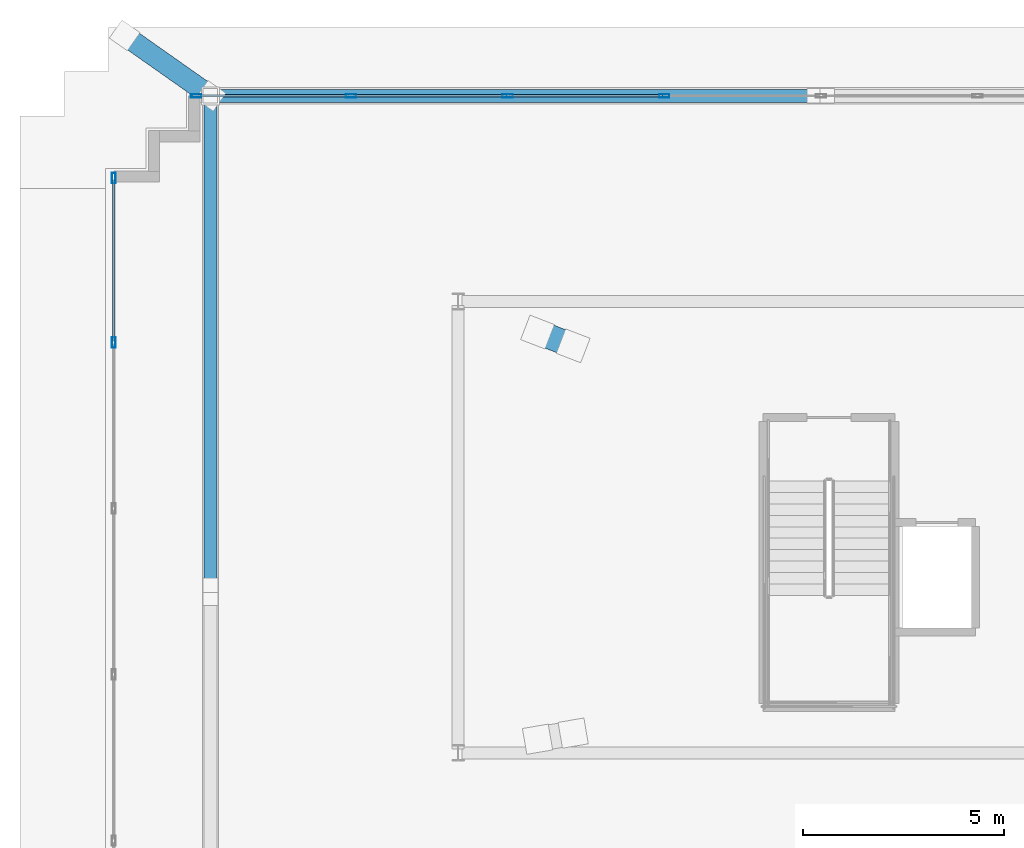
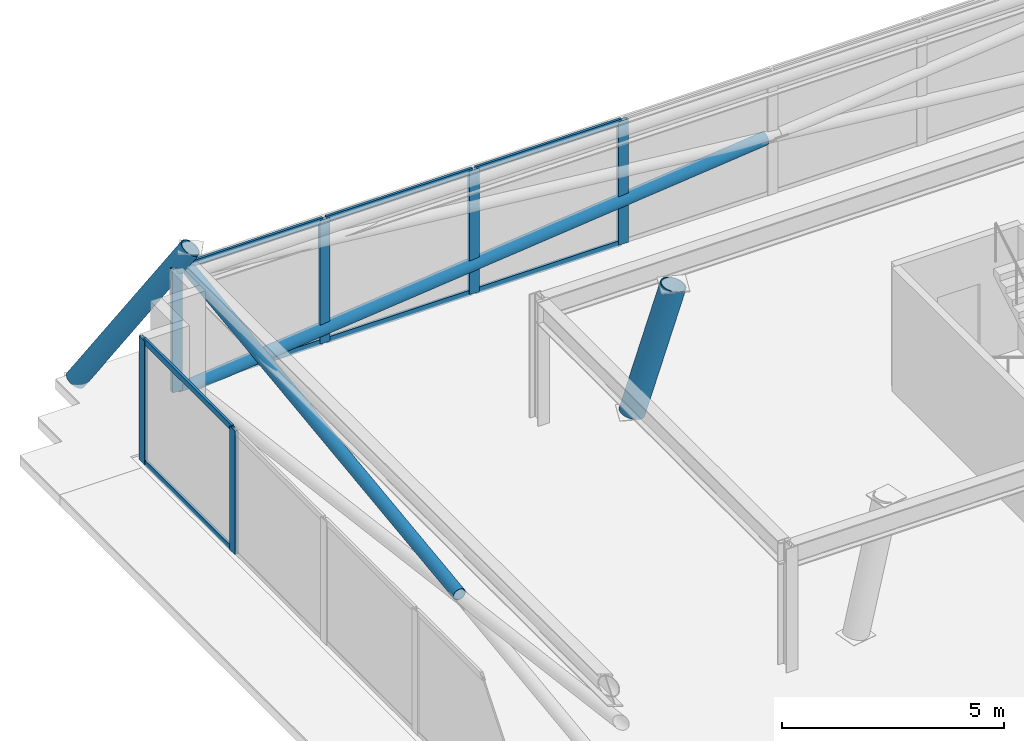
# One storey, part 8 of 18: 18 members, 2 elements without a shape of their own.
"""IFC4 building model written with IfcOpenShell, lengths in metres."""

import ifcopenshell
import ifcopenshell.guid

model = None  # the IFC model being written
_history = None  # IfcOwnerHistory: only IFC2X3 demands one
_inside = {}  # id of a spatial element -> (the spatial element, [elements in it])
_under = {}  # id of a project, library or spatial element -> (it, [spatial elements below it])
_declared = {}  # id of a project -> (the project, [libraries it declares])
_typed = {}  # id of a type object -> (the type object, [elements of that type])
_made_of = {}  # id of a material, layer set ... -> (it, [elements and type objects made of it])


def new_model(schema):
    """Start an empty IFC model of exactly this schema.

    Asked for "IFC4X3", IfcOpenShell would pick the latest addendum, in which some entities
    have other attributes; the version numbers below select the first issue.
    IFC2X3 requires an IfcOwnerHistory on every rooted entity: one is made here for all.
    """
    global model, _history
    if schema == "IFC4X3":
        model = ifcopenshell.file(schema_version=(4, 3, 0, 0))
    else:
        model = ifcopenshell.file(schema=schema)
    _inside.clear()
    _under.clear()
    _declared.clear()
    _typed.clear()
    _made_of.clear()
    _history = None
    if model.schema == "IFC2X3":
        org = make("IfcOrganization", Name="unknown")
        user = make(
            "IfcPersonAndOrganization",
            ThePerson=make("IfcPerson", FamilyName="unknown"),
            TheOrganization=org,
        )
        app = make(
            "IfcApplication",
            ApplicationDeveloper=org,
            Version="unknown",
            ApplicationFullName="unknown",
            ApplicationIdentifier="unknown",
        )
        _history = make(
            "IfcOwnerHistory",
            OwningUser=user,
            OwningApplication=app,
            ChangeAction="ADDED",
            CreationDate=0,
        )
    return model


def make(cls, **values):
    """One entity of the class cls with the attributes given. An attribute that is None is left unset."""
    return model.create_entity(
        cls, **{name: value for name, value in values.items() if value is not None}
    )


def rooted(cls, **values):
    """An entity with a GlobalId (a new one), such as an element, a storey or a relation."""
    return make(cls, GlobalId=ifcopenshell.guid.new(), OwnerHistory=_history, **values)


def si_unit(unit_type, name, prefix=None):
    """IfcSIUnit, for example si_unit("LENGTHUNIT", "METRE", prefix="MILLI")."""
    return make("IfcSIUnit", UnitType=unit_type, Prefix=prefix, Name=name)


def assignment(units):
    """IfcUnitAssignment: the units of a project."""
    return None if units is None else make("IfcUnitAssignment", Units=units)


def point(xyz):
    """IfcCartesianPoint."""
    return None if xyz is None else make("IfcCartesianPoint", Coordinates=xyz)


def direction(xyz):
    """IfcDirection."""
    return None if xyz is None else make("IfcDirection", DirectionRatios=xyz)


def frame(location, z_axis=None, x_axis=None):
    """IfcAxis2Placement3D, a coordinate frame: its origin and axes. An axis left out is left unset."""
    return make(
        "IfcAxis2Placement3D",
        Location=point(location),
        Axis=direction(z_axis),
        RefDirection=direction(x_axis),
    )


def frame_2d(location, x_axis=None):
    """IfcAxis2Placement2D, a coordinate frame in the plane: its origin and x axis."""
    return make(
        "IfcAxis2Placement2D", Location=point(location), RefDirection=direction(x_axis)
    )


def origin():
    """The frame at (0, 0, 0) with its axes left unset."""
    return frame((0.0, 0.0, 0.0))


def origin_2d():
    """The frame at (0, 0) in the plane with its x axis left unset."""
    return frame_2d((0.0, 0.0))


def place(relative_to, where):
    """IfcLocalPlacement: puts the frame where relative to a parent placement (None: the world)."""
    return make(
        "IfcLocalPlacement", PlacementRelTo=relative_to, RelativePlacement=where
    )


def context(
    kind, dimensions, precision=None, world=None, true_north=None, identifier=None
):
    """IfcGeometricRepresentationContext, for example the 3D "Model" context."""
    return make(
        "IfcGeometricRepresentationContext",
        ContextIdentifier=identifier,
        ContextType=kind,
        CoordinateSpaceDimension=dimensions,
        Precision=precision,
        WorldCoordinateSystem=world,
        TrueNorth=true_north,
    )


def subcontext(parent, identifier, kind, view, scale=None):
    """IfcGeometricRepresentationSubContext, for example "Body" below "Model"."""
    return make(
        "IfcGeometricRepresentationSubContext",
        ContextIdentifier=identifier,
        ContextType=kind,
        ParentContext=parent,
        TargetScale=scale,
        TargetView=view,
    )


def project(units=None, contexts=None):
    """IfcProject with its units and contexts."""
    return rooted(
        "IfcProject",
        Name="project",
        RepresentationContexts=contexts,
        UnitsInContext=assignment(units),
    )


def spatial(cls, under=None, at=None, **own):
    """A site, building, storey or space (cls), placed at a placement, below another one or the project."""
    s = rooted(cls, ObjectPlacement=at, **own)
    if under is not None:
        _under.setdefault(under.id(), (under, []))[1].append(s)
    return s


def profile(cls, at=None, kind="AREA", **sizes):
    """A parametric profile (cls). Its sizes go by their IFC names, for example OverallWidth=200.0."""
    return make(cls, ProfileType=kind, Position=at, **sizes)


def hollow_rectangle(**sizes):
    """IfcRectangleHollowProfileDef."""
    return profile("IfcRectangleHollowProfileDef", **sizes)


def hollow_circle(**sizes):
    """IfcCircleHollowProfileDef."""
    return profile("IfcCircleHollowProfileDef", **sizes)


def extrude(swept, where, along, depth):
    """IfcExtrudedAreaSolid: the profile swept, set in the frame where, extruded along a direction by depth."""
    return make(
        "IfcExtrudedAreaSolid",
        SweptArea=swept,
        Position=where,
        ExtrudedDirection=direction(along),
        Depth=depth,
    )


def shape(context_of_items, identifier, shape_type, items):
    """IfcShapeRepresentation: the items that make up one representation, for example the "Body"."""
    return make(
        "IfcShapeRepresentation",
        ContextOfItems=context_of_items,
        RepresentationIdentifier=identifier,
        RepresentationType=shape_type,
        Items=items,
    )


def material(Name=None, Category=None):
    """IfcMaterial."""
    return make("IfcMaterial", Name=Name, Category=Category)


def layer(
    of_material, thickness, ventilated=None, Name=None, Category=None, Priority=None
):
    """IfcMaterialLayer: one layer of a wall or slab, of a material (None: an air gap)."""
    return make(
        "IfcMaterialLayer",
        Material=of_material,
        LayerThickness=thickness,
        IsVentilated=ventilated,
        Name=Name,
        Category=Category,
        Priority=Priority,
    )


def layer_set(layers, Name=None):
    """IfcMaterialLayerSet."""
    return make("IfcMaterialLayerSet", MaterialLayers=layers, LayerSetName=Name)


def material_profile(
    of_material, cross_section, Name=None, Category=None, Priority=None
):
    """IfcMaterialProfile: a cross section and its material."""
    return make(
        "IfcMaterialProfile",
        Name=Name,
        Material=of_material,
        Profile=cross_section,
        Priority=Priority,
        Category=Category,
    )


def profile_set(profiles, Name=None, composite=None):
    """IfcMaterialProfileSet."""
    return make(
        "IfcMaterialProfileSet",
        Name=Name,
        MaterialProfiles=profiles,
        CompositeProfile=composite,
    )


def made_of(thing, what):
    """Note that an element or type object is made of a material, layer set ...; save() writes the relation."""
    if what is not None:
        _made_of.setdefault(what.id(), (what, []))[1].append(thing)
    return thing


def type_object(cls, material=None, **own):
    """A type object (cls), such as IfcWallType, which elements share."""
    return made_of(rooted(cls, **own), material)


def element(
    cls,
    number,
    at=None,
    inside=None,
    cuts=None,
    type_object=None,
    material=None,
    context=None,
    identifier="Body",
    shape_type=None,
    held_by="IfcProductDefinitionShape",
    body=None,
    shapes=None,
    **own,
):
    """One element of the class cls, such as IfcWall. Its Tag is "e" and its number.

    at: its placement. inside: the storey or other place that contains it. cuts: it is an
    opening in that element (IfcRelVoidsElement). A single representation is given by context,
    identifier, shape_type and body (its items); several are given by shapes. held_by: the class
    of the entity that holds the representations. save() writes the other relations.
    """
    e = rooted(cls, Tag="e%d" % number, ObjectPlacement=at, **own)
    if body is not None:
        shapes = [shape(context, identifier, shape_type, body)]
    if shapes is not None:
        e.Representation = make(held_by, Representations=shapes)
    if inside is not None:
        _inside.setdefault(inside.id(), (inside, []))[1].append(e)
    if cuts is not None:
        rooted(
            "IfcRelVoidsElement", RelatingBuildingElement=cuts, RelatedOpeningElement=e
        )
    if type_object is not None:
        _typed.setdefault(type_object.id(), (type_object, []))[1].append(e)
    return made_of(e, material)


def aggregate(whole, parts):
    """IfcRelAggregates: a whole, such as a stair, and the parts it consists of."""
    return rooted("IfcRelAggregates", RelatingObject=whole, RelatedObjects=parts)


def save(model, path):
    """Write the relations noted so far, then the file.

    IfcRelAggregates (storeys below a building ...), IfcRelContainedInSpatialStructure (elements
    in a storey), IfcRelDefinesByType, IfcRelAssociatesMaterial and IfcRelDeclares: one each for
    every whole, place, type object, material and project.
    """
    for whole, parts in _under.values():
        aggregate(whole, parts)
    for where, things in _inside.values():
        rooted(
            "IfcRelContainedInSpatialStructure",
            RelatedElements=things,
            RelatingStructure=where,
        )
    for kind, things in _typed.values():
        rooted("IfcRelDefinesByType", RelatedObjects=things, RelatingType=kind)
    for what, things in _made_of.values():
        rooted("IfcRelAssociatesMaterial", RelatedObjects=things, RelatingMaterial=what)
    for by, libraries in _declared.values():
        rooted("IfcRelDeclares", RelatingContext=by, RelatedDefinitions=libraries)
    model.write(path)


model = new_model("IFC4")

# Units and contexts
model_context = context("Model", 3, precision=1e-05, world=origin(), true_north=direction((0.0, 1.0)))
body_context = subcontext(model_context, "Body", "Model", "MODEL_VIEW")
ifc_project = project(units=[si_unit("LENGTHUNIT", "METRE"), si_unit("AREAUNIT", "SQUARE_METRE"), si_unit("VOLUMEUNIT", "CUBIC_METRE"), si_unit("PLANEANGLEUNIT", "RADIAN"), si_unit("MASSUNIT", "GRAM", prefix="KILO")], contexts=[model_context])

# Site, building, storey
site_placement = place(None, origin())
site = spatial("IfcSite", under=ifc_project, at=site_placement, CompositionType="ELEMENT")
building_placement = place(site_placement, origin())
building = spatial("IfcBuilding", under=site, at=building_placement, Name="Qobustan Lattice House", CompositionType="ELEMENT")
storey_placement = place(building_placement, frame((0.0, 0.0, 277.800048828125)))
storey = spatial("IfcBuildingStorey", under=building, at=storey_placement, Name="L78", CompositionType="ELEMENT", Elevation=277.800048828125)

# Curtain wall, members
ifc_material_1 = material(Name="Anodised aluminium and low-E glazing", Category="aluminium")
ifc_layer = layer(ifc_material_1, 0.219970703125)
ifc_layer_set = layer_set([ifc_layer], Name="Anodised aluminium and low-E glazing")
curtain_wall_type = type_object("IfcCurtainWallType", Name="CW-CRN-01", PredefinedType="USERDEFINED", material=ifc_layer_set)
curtain_wall_1_placement = place(storey_placement, origin())
curtain_wall_1 = element("IfcCurtainWall", 1, at=curtain_wall_1_placement, inside=storey, type_object=curtain_wall_type, Name="L78 glass-point crown faceted curtain wall 5", ObjectType="CURTAIN WALL", PredefinedType="USERDEFINED")
ifc_material_2 = material(Name="Anodised aluminium EN AW-6063 T6", Category="aluminium")
ifc_material_profile_1 = material_profile(ifc_material_2, hollow_rectangle(XDim=0.090087890625, YDim=0.260009765625, WallThickness=0.006103515625, at=origin_2d()), Name="CWM-CROWN-260x90")
ifc_profile_set_1 = profile_set([ifc_material_profile_1], Name="Anodised aluminium EN AW-6063 T6")
member_type_1 = type_object("IfcMemberType", Name="CWM-CRN-260", PredefinedType="MULLION", material=ifc_profile_set_1)
member_1_placement = place(storey_placement, frame((-17.74658203125, 4.58203125, 0.0), z_axis=(0.0, 0.0, 1.0), x_axis=(-1.0, 0.0, 0.0)))
member_1 = element("IfcMember", 2, at=member_1_placement, type_object=member_type_1, Name="CW-CR mullion 5", PredefinedType="MULLION", context=body_context, shape_type="SweptSolid", body=[
    extrude(hollow_rectangle(XDim=0.090087890625, YDim=0.260009765625, WallThickness=0.006103515625, at=origin_2d()), origin(), (0.0, 0.0, 1.0), 3.39990234375),
])
member_2_placement = place(storey_placement, frame((-17.74658203125, 8.658447265625, 0.0), z_axis=(0.0, 0.0, 1.0), x_axis=(-1.0, 0.0, 0.0)))
member_2 = element("IfcMember", 3, at=member_2_placement, type_object=member_type_1, Name="CW-CR mullion 6", PredefinedType="MULLION", context=body_context, shape_type="SweptSolid", body=[
    extrude(hollow_rectangle(XDim=0.090087890625, YDim=0.260009765625, WallThickness=0.006103515625, at=origin_2d()), origin(), (0.0, 0.0, 1.0), 3.39990234375),
])

curtain_wall_2_placement = place(storey_placement, origin())
curtain_wall_2 = element("IfcCurtainWall", 4, at=curtain_wall_2_placement, inside=storey, type_object=curtain_wall_type, Name="L78 glass-point crown faceted curtain wall 10", ObjectType="CURTAIN WALL", PredefinedType="USERDEFINED")
member_3_placement = place(storey_placement, frame((-15.701416015625, 10.70361328125, 0.0), z_axis=(0.0, 0.0, 1.0), x_axis=(0.0, 1.0, 0.0)))
member_3 = element("IfcMember", 5, at=member_3_placement, type_object=member_type_1, Name="CW-CR mullion 1", PredefinedType="MULLION", context=body_context, shape_type="SweptSolid", body=[
    extrude(hollow_rectangle(XDim=0.090087890625, YDim=0.260009765625, WallThickness=0.006103515625, at=origin_2d()), origin(), (0.0, 0.0, 1.0), 3.39990234375),
])
member_4_placement = place(storey_placement, frame((-11.85986328125, 10.70361328125, 0.0), z_axis=(0.0, 0.0, 1.0), x_axis=(0.0, 1.0, 0.0)))
member_4 = element("IfcMember", 6, at=member_4_placement, type_object=member_type_1, Name="CW-CR mullion 2", PredefinedType="MULLION", context=body_context, shape_type="SweptSolid", body=[
    extrude(hollow_rectangle(XDim=0.090087890625, YDim=0.260009765625, WallThickness=0.006103515625, at=origin_2d()), origin(), (0.0, 0.0, 1.0), 3.39990234375),
])
member_5_placement = place(storey_placement, frame((-7.97314453125, 10.70361328125, 0.0), z_axis=(0.0, 0.0, 1.0), x_axis=(0.0, 1.0, 0.0)))
member_5 = element("IfcMember", 7, at=member_5_placement, type_object=member_type_1, Name="CW-CR mullion 3", PredefinedType="MULLION", context=body_context, shape_type="SweptSolid", body=[
    extrude(hollow_rectangle(XDim=0.090087890625, YDim=0.260009765625, WallThickness=0.006103515625, at=origin_2d()), origin(), (0.0, 0.0, 1.0), 3.39990234375),
])
member_6_placement = place(storey_placement, frame((-4.086669921875, 10.70361328125, 0.0), z_axis=(0.0, 0.0, 1.0), x_axis=(0.0, 1.0, 0.0)))
member_6 = element("IfcMember", 8, at=member_6_placement, type_object=member_type_1, Name="CW-CR mullion 4", PredefinedType="MULLION", context=body_context, shape_type="SweptSolid", body=[
    extrude(hollow_rectangle(XDim=0.090087890625, YDim=0.260009765625, WallThickness=0.006103515625, at=origin_2d()), origin(), (0.0, 0.0, 1.0), 3.39990234375),
])

# Member
ifc_material_3 = material(Name="Anodised aluminium EN AW-6063 T6", Category="aluminium")
ifc_material_profile_2 = material_profile(ifc_material_3, hollow_rectangle(XDim=0.06494140625, YDim=0.159912109375, WallThickness=0.00390625, at=origin_2d()), Name="CWT-160x65")
ifc_profile_set_2 = profile_set([ifc_material_profile_2], Name="Anodised aluminium EN AW-6063 T6")
member_type_2 = type_object("IfcMemberType", Name="CWT-HOR-160", PredefinedType="USERDEFINED", material=ifc_profile_set_2)
member_7_placement = place(storey_placement, frame((-17.74658203125, 4.627197265625, 0.032470703125), z_axis=(0.0, 1.0, 0.0), x_axis=(-1.0, 0.0, 0.0)))
member_7 = element("IfcMember", 9, at=member_7_placement, type_object=member_type_2, Name="CW-CR transom 5.1", ObjectType="TRANSOM", PredefinedType="USERDEFINED", context=body_context, shape_type="SweptSolid", body=[
    extrude(hollow_rectangle(XDim=0.06494140625, YDim=0.159912109375, WallThickness=0.00390625, at=origin_2d()), origin(), (0.0, 0.0, 1.0), 3.986328125),
])

member_8_placement = place(storey_placement, frame((-17.74658203125, 4.627197265625, 3.367431640625), z_axis=(0.0, 1.0, 0.0), x_axis=(-1.0, 0.0, 0.0)))
member_8 = element("IfcMember", 10, at=member_8_placement, type_object=member_type_2, Name="CW-CR transom 5.2", ObjectType="TRANSOM", PredefinedType="USERDEFINED", context=body_context, shape_type="SweptSolid", body=[
    extrude(hollow_rectangle(XDim=0.06494140625, YDim=0.159912109375, WallThickness=0.00390625, at=origin_2d()), origin(), (0.0, 0.0, 1.0), 3.986328125),
])

aggregate(curtain_wall_1, [member_1, member_2, member_7, member_8])

member_9_placement = place(storey_placement, frame((-15.656494140625, 10.70361328125, 0.032470703125), z_axis=(1.0, 0.0, 0.0), x_axis=(0.0, 1.0, 0.0)))
member_9 = element("IfcMember", 11, at=member_9_placement, type_object=member_type_2, Name="CW-CR transom 1.1", ObjectType="TRANSOM", PredefinedType="USERDEFINED", context=body_context, shape_type="SweptSolid", body=[
    extrude(hollow_rectangle(XDim=0.06494140625, YDim=0.159912109375, WallThickness=0.00390625, at=origin_2d()), origin(), (0.0, 0.0, 1.0), 3.751708984375),
])

member_10_placement = place(storey_placement, frame((-15.656494140625, 10.70361328125, 3.367431640625), z_axis=(1.0, 0.0, 0.0), x_axis=(0.0, 1.0, 0.0)))
member_10 = element("IfcMember", 12, at=member_10_placement, type_object=member_type_2, Name="CW-CR transom 1.2", ObjectType="TRANSOM", PredefinedType="USERDEFINED", context=body_context, shape_type="SweptSolid", body=[
    extrude(hollow_rectangle(XDim=0.06494140625, YDim=0.159912109375, WallThickness=0.00390625, at=origin_2d()), origin(), (0.0, 0.0, 1.0), 3.751708984375),
])

member_11_placement = place(storey_placement, frame((-11.81494140625, 10.70361328125, 0.032470703125), z_axis=(1.0, 0.0, 0.0), x_axis=(0.0, 1.0, 0.0)))
member_11 = element("IfcMember", 13, at=member_11_placement, type_object=member_type_2, Name="CW-CR transom 2.1", ObjectType="TRANSOM", PredefinedType="USERDEFINED", context=body_context, shape_type="SweptSolid", body=[
    extrude(hollow_rectangle(XDim=0.06494140625, YDim=0.159912109375, WallThickness=0.00390625, at=origin_2d()), origin(), (0.0, 0.0, 1.0), 3.796630859375),
])

member_12_placement = place(storey_placement, frame((-11.81494140625, 10.70361328125, 3.367431640625), z_axis=(1.0, 0.0, 0.0), x_axis=(0.0, 1.0, 0.0)))
member_12 = element("IfcMember", 14, at=member_12_placement, type_object=member_type_2, Name="CW-CR transom 2.2", ObjectType="TRANSOM", PredefinedType="USERDEFINED", context=body_context, shape_type="SweptSolid", body=[
    extrude(hollow_rectangle(XDim=0.06494140625, YDim=0.159912109375, WallThickness=0.00390625, at=origin_2d()), origin(), (0.0, 0.0, 1.0), 3.796630859375),
])

member_13_placement = place(storey_placement, frame((-7.92822265625, 10.70361328125, 0.032470703125), z_axis=(1.0, 0.0, 0.0), x_axis=(0.0, 1.0, 0.0)))
member_13 = element("IfcMember", 15, at=member_13_placement, type_object=member_type_2, Name="CW-CR transom 3.1", ObjectType="TRANSOM", PredefinedType="USERDEFINED", context=body_context, shape_type="SweptSolid", body=[
    extrude(hollow_rectangle(XDim=0.06494140625, YDim=0.159912109375, WallThickness=0.00390625, at=origin_2d()), origin(), (0.0, 0.0, 1.0), 3.796630859375),
])

member_14_placement = place(storey_placement, frame((-7.92822265625, 10.70361328125, 3.367431640625), z_axis=(1.0, 0.0, 0.0), x_axis=(0.0, 1.0, 0.0)))
member_14 = element("IfcMember", 16, at=member_14_placement, type_object=member_type_2, Name="CW-CR transom 3.2", ObjectType="TRANSOM", PredefinedType="USERDEFINED", context=body_context, shape_type="SweptSolid", body=[
    extrude(hollow_rectangle(XDim=0.06494140625, YDim=0.159912109375, WallThickness=0.00390625, at=origin_2d()), origin(), (0.0, 0.0, 1.0), 3.796630859375),
])

aggregate(curtain_wall_2, [member_3, member_4, member_5, member_6, member_9, member_10, member_11, member_12, member_13, member_14])

# Members
ifc_material_4 = material(Name="Steel S355", Category="steel")
ifc_material_profile_3 = material_profile(ifc_material_4, hollow_circle(Radius=0.161865234375, WallThickness=0.012451171875, at=origin_2d()), Name="CHS323.9x12.5")
ifc_profile_set_3 = profile_set([ifc_material_profile_3], Name="Steel S355")
member_type_3 = type_object("IfcMemberType", Name="MEM-CBR-CHS324", PredefinedType="BRACE", material=ifc_profile_set_3)
member_15_placement = place(storey_placement, frame((-15.346435546875, 10.70361328125, 0.014892578125), z_axis=(0.994586867917, 0.0, 0.103908431641), x_axis=(0.0, 1.0, 0.0)))
element("IfcMember", 17, at=member_15_placement, inside=storey, type_object=member_type_3, Name="L78 crown diagrid split brace 3B lower", PredefinedType="BRACE", context=body_context, shape_type="SweptSolid", body=[
    extrude(hollow_circle(Radius=0.161865234375, WallThickness=0.012451171875, at=origin_2d()), origin(), (0.0, 0.0, 1.0), 15.060791015625),
])
member_16_placement = place(storey_placement, frame((-15.346435546875, -1.433349609375, 1.618896484375), z_axis=(0.0, 0.991829898268, 0.127567444522), x_axis=(-1.0, 0.0, 0.0)))
element("IfcMember", 18, at=member_16_placement, inside=storey, type_object=member_type_3, Name="L78 crown diagrid split brace 4B upper", PredefinedType="BRACE", context=body_context, shape_type="SweptSolid", body=[
    extrude(hollow_circle(Radius=0.161865234375, WallThickness=0.012451171875, at=origin_2d()), origin(), (0.0, 0.0, 1.0), 12.237060546875),
])
ifc_material_5 = material(Name="Steel S355", Category="steel")
ifc_material_profile_4 = material_profile(ifc_material_5, hollow_circle(Radius=0.304931640625, WallThickness=0.02490234375, at=origin_2d()), Name="CHS610x25")
ifc_profile_set_4 = profile_set([ifc_material_profile_4], Name="Steel S355")
member_type_4 = type_object("IfcMemberType", Name="MEM-SPR-CHS610", PredefinedType="USERDEFINED", material=ifc_profile_set_4)
member_17_placement = place(storey_placement, frame((-7.2294921875, 4.840087890625, 0.0), z_axis=(0.249765080098, -0.096377494896, 0.963498200954), x_axis=(0.360000616832, 0.932952065157, 0.0)))
element("IfcMember", 19, at=member_17_placement, inside=storey, type_object=member_type_4, Name="L78 crown spire leg SL4", ObjectType="CROWN FRAME", PredefinedType="USERDEFINED", context=body_context, shape_type="SweptSolid", body=[
    extrude(hollow_circle(Radius=0.304931640625, WallThickness=0.02490234375, at=origin_2d()), origin(), (0.0, 0.0, 1.0), 3.52880859375),
])
ifc_material_6 = material(Name="Steel S355", Category="steel")
ifc_material_profile_5 = material_profile(ifc_material_6, hollow_circle(Radius=0.25390625, WallThickness=0.02001953125, at=origin_2d()), Name="CHS508x20")
ifc_profile_set_5 = profile_set([ifc_material_profile_5], Name="Steel S355")
member_type_5 = type_object("IfcMemberType", Name="MEM-STR-CHS508", PredefinedType="STRUT", material=ifc_profile_set_5)
member_18_placement = place(storey_placement, frame((-17.473388671875, 12.201416015625, 0.0), z_axis=(0.461860682092, -0.325242801267, 0.825167759041), x_axis=(0.575765365073, 0.817614973189, 0.0)))
element("IfcMember", 20, at=member_18_placement, inside=storey, type_object=member_type_5, Name="L78 crown corner raking strut 4", PredefinedType="STRUT", context=body_context, shape_type="SweptSolid", body=[
    extrude(hollow_circle(Radius=0.25390625, WallThickness=0.02001953125, at=origin_2d()), origin(), (0.0, 0.0, 1.0), 4.605224609375),
])

save(model, "model.ifc")
